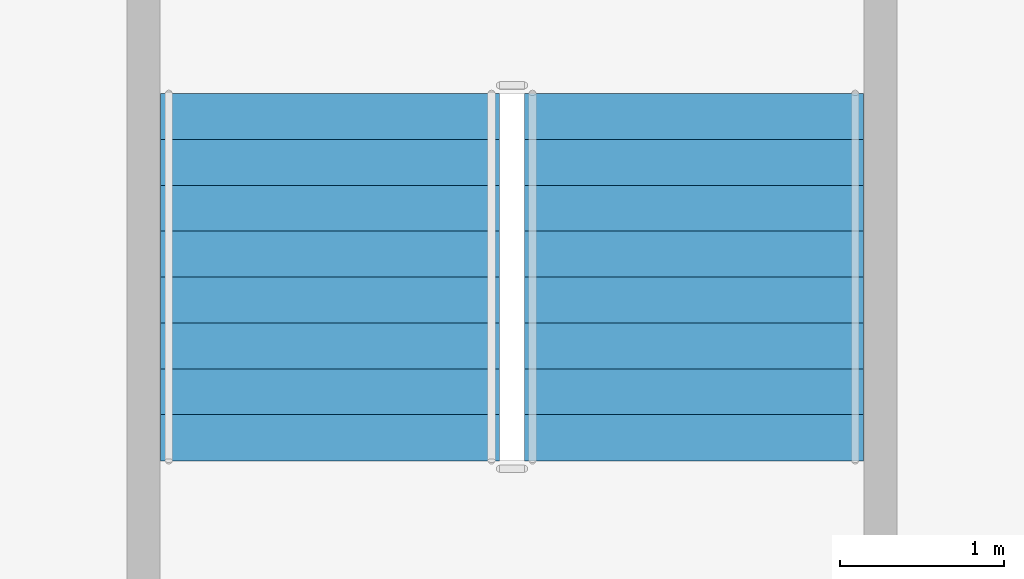
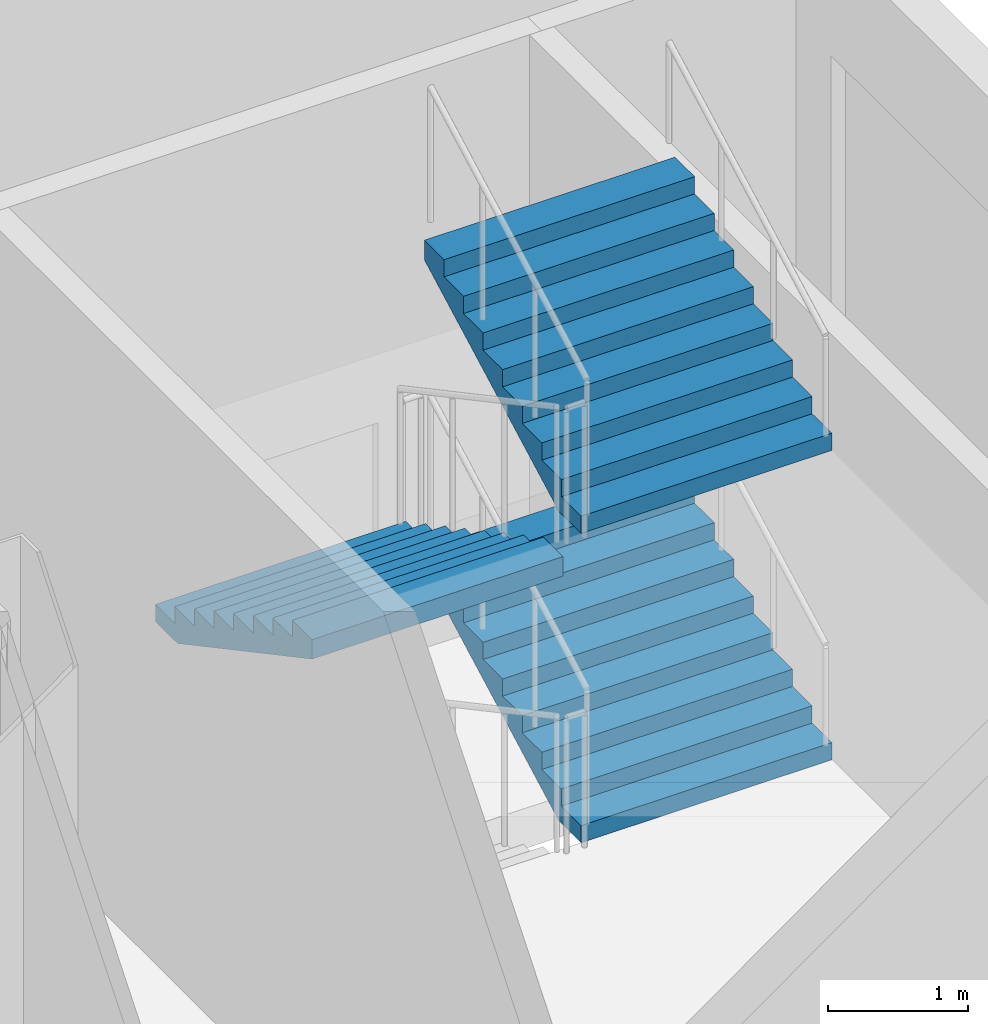
# One storey, part 20 of 27: 3 stair flights, 1 element without a shape of its own.
"""IFC4 building model written with IfcOpenShell, lengths in metres."""

from ifc_helpers import new_model, si_unit, direction, frame, origin, place, context, subcontext, project, spatial, polygons, material, type_object, element, aggregate, save


model = new_model("IFC4")

# Units and contexts
model_context = context("Model", 3, precision=1e-05, world=origin(), true_north=direction((0.0, 1.0)))
body_context = subcontext(model_context, "Body", "Model", "MODEL_VIEW")
ifc_project = project(units=[si_unit("LENGTHUNIT", "METRE"), si_unit("AREAUNIT", "SQUARE_METRE"), si_unit("VOLUMEUNIT", "CUBIC_METRE"), si_unit("PLANEANGLEUNIT", "RADIAN"), si_unit("MASSUNIT", "GRAM", prefix="KILO")], contexts=[model_context])

# Site, building, storey
site_placement = place(None, origin())
site = spatial("IfcSite", under=ifc_project, at=site_placement, CompositionType="ELEMENT")
building_placement = place(site_placement, origin())
building = spatial("IfcBuilding", under=site, at=building_placement, Name="Caravel Reach Hotel and Residences", CompositionType="ELEMENT")
storey_placement = place(building_placement, frame((0.0, 0.0, 6.60009765625)))
storey = spatial("IfcBuildingStorey", under=building, at=storey_placement, Name="L01", CompositionType="ELEMENT", Elevation=6.60009765625)

# Stair, stair flights
ifc_material_1 = material(Name="Concrete C40", Category="concrete")
stair_type = type_object("IfcStairType", Name="Core stair", PredefinedType="HALF_TURN_STAIR", material=ifc_material_1)
stair_placement = place(storey_placement, origin())
stair = element("IfcStair", 1, at=stair_placement, inside=storey, type_object=stair_type, Name="L01 Exit stair P7", PredefinedType="HALF_TURN_STAIR")
ifc_material_2 = material(Name="Concrete C40", Category="concrete")
stair_flight_type = type_object("IfcStairFlightType", Name="Core stair flight", PredefinedType="STRAIGHT", material=ifc_material_2)
stair_flight_1_placement = place(storey_placement, frame((64.360107421875, 9.070068359375, 1.349853515625), z_axis=(0.0, 0.0, 1.0), x_axis=(0.0, 1.0, 0.0)))
stair_flight_1 = element("IfcStairFlight", 2, at=stair_flight_1_placement, type_object=stair_flight_type, Name="ST-P7 flight 2", NumberOfRisers=9, NumberOfTreads=8, PredefinedType="STRAIGHT", RiserHeight=0.15, TreadLength=0.28, context=body_context, shape_type="Tessellation", body=[
    polygons([(0.3174408016601864, 1.0350341796875, 0.0), (0.3174408016601864, 0.6900227864583333, 0.0), (0.3174408016601864, 0.34501139322916663, 0.0), (0.3174408016601864, 0.0, 0.0), (0.3174408016601864, -0.34501139322916674, 0.0), (0.3174408016601864, -0.6900227864583333, 0.0), (0.3174408016601864, -1.0350341796875, 0.0), (2.241, 1.0350341796875, 1.029942427682043), (2.241, 0.6900227864583333, 1.029942427682043), (2.241, 0.34501139322916663, 1.029942427682043), (2.241, 0.0, 1.029942427682043), (2.241, -0.34501139322916674, 1.029942427682043), (2.241, -0.6900227864583333, 1.029942427682043), (2.241, -1.0350341796875, 1.029942427682043), (2.241, 1.0350341796875, 1.2), (2.241, 0.6900227864583333, 1.2), (2.241, 0.34501139322916663, 1.2), (2.241, 0.0, 1.2), (2.241, -0.34501139322916674, 1.2), (2.241, -0.6900227864583333, 1.2), (2.241, -1.0350341796875, 1.2), (1.9600000000000002, 1.0350341796875, 1.2), (1.9600000000000002, 0.6900227864583333, 1.2), (1.9600000000000002, 0.34501139322916663, 1.2), (1.9600000000000002, 0.0, 1.2), (1.9600000000000002, -0.34501139322916674, 1.2), (1.9600000000000002, -0.6900227864583333, 1.2), (1.9600000000000002, -1.0350341796875, 1.2), (1.9600000000000002, 1.0350341796875, 1.05), (1.9600000000000002, 0.6900227864583333, 1.05), (1.9600000000000002, 0.34501139322916663, 1.05), (1.9600000000000002, 0.0, 1.05), (1.9600000000000002, -0.34501139322916674, 1.05), (1.9600000000000002, -0.6900227864583333, 1.05), (1.9600000000000002, -1.0350341796875, 1.05), (1.6800000000000002, 1.0350341796875, 1.05), (1.6800000000000002, 0.6900227864583333, 1.05), (1.6800000000000002, 0.34501139322916663, 1.05), (1.6800000000000002, 0.0, 1.05), (1.6800000000000002, -0.34501139322916674, 1.05), (1.6800000000000002, -0.6900227864583333, 1.05), (1.6800000000000002, -1.0350341796875, 1.05), (1.6800000000000002, 1.0350341796875, 0.8999999999999999), (1.6800000000000002, 0.6900227864583333, 0.8999999999999999), (1.6800000000000002, 0.34501139322916663, 0.8999999999999999), (1.6800000000000002, 0.0, 0.8999999999999999), (1.6800000000000002, -0.34501139322916674, 0.8999999999999999), (1.6800000000000002, -0.6900227864583333, 0.8999999999999999), (1.6800000000000002, -1.0350341796875, 0.8999999999999999), (1.4000000000000001, 1.0350341796875, 0.8999999999999999), (1.4000000000000001, 0.6900227864583333, 0.8999999999999999), (1.4000000000000001, 0.34501139322916663, 0.8999999999999999), (1.4000000000000001, 0.0, 0.8999999999999999), (1.4000000000000001, -0.34501139322916674, 0.8999999999999999), (1.4000000000000001, -0.6900227864583333, 0.8999999999999999), (1.4000000000000001, -1.0350341796875, 0.8999999999999999), (1.4000000000000001, 1.0350341796875, 0.75), (1.4000000000000001, 0.6900227864583333, 0.75), (1.4000000000000001, 0.34501139322916663, 0.75), (1.4000000000000001, 0.0, 0.75), (1.4000000000000001, -0.34501139322916674, 0.75), (1.4000000000000001, -0.6900227864583333, 0.75), (1.4000000000000001, -1.0350341796875, 0.75), (1.12, 1.0350341796875, 0.75), (1.12, 0.6900227864583333, 0.75), (1.12, 0.34501139322916663, 0.75), (1.12, 0.0, 0.75), (1.12, -0.34501139322916674, 0.75), (1.12, -0.6900227864583333, 0.75), (1.12, -1.0350341796875, 0.75), (1.12, 1.0350341796875, 0.6), (1.12, 0.6900227864583333, 0.6), (1.12, 0.34501139322916663, 0.6), (1.12, 0.0, 0.6), (1.12, -0.34501139322916674, 0.6), (1.12, -0.6900227864583333, 0.6), (1.12, -1.0350341796875, 0.6), (0.8400000000000001, 1.0350341796875, 0.6), (0.8400000000000001, 0.6900227864583333, 0.6), (0.8400000000000001, 0.34501139322916663, 0.6), (0.8400000000000001, 0.0, 0.6), (0.8400000000000001, -0.34501139322916674, 0.6), (0.8400000000000001, -0.6900227864583333, 0.6), (0.8400000000000001, -1.0350341796875, 0.6), (0.8400000000000001, 1.0350341796875, 0.44999999999999996), (0.8400000000000001, 0.6900227864583333, 0.44999999999999996), (0.8400000000000001, 0.34501139322916663, 0.44999999999999996), (0.8400000000000001, 0.0, 0.44999999999999996), (0.8400000000000001, -0.34501139322916674, 0.44999999999999996), (0.8400000000000001, -0.6900227864583333, 0.44999999999999996), (0.8400000000000001, -1.0350341796875, 0.44999999999999996), (0.56, 1.0350341796875, 0.44999999999999996), (0.56, 0.6900227864583333, 0.44999999999999996), (0.56, 0.34501139322916663, 0.44999999999999996), (0.56, 0.0, 0.44999999999999996), (0.56, -0.34501139322916674, 0.44999999999999996), (0.56, -0.6900227864583333, 0.44999999999999996), (0.56, -1.0350341796875, 0.44999999999999996), (0.56, 1.0350341796875, 0.3), (0.56, 0.6900227864583333, 0.3), (0.56, 0.34501139322916663, 0.3), (0.56, 0.0, 0.3), (0.56, -0.34501139322916674, 0.3), (0.56, -0.6900227864583333, 0.3), (0.56, -1.0350341796875, 0.3), (0.28, 1.0350341796875, 0.3), (0.28, 0.6900227864583333, 0.3), (0.28, 0.34501139322916663, 0.3), (0.28, 0.0, 0.3), (0.28, -0.34501139322916674, 0.3), (0.28, -0.6900227864583333, 0.3), (0.28, -1.0350341796875, 0.3), (0.28, 1.0350341796875, 0.15), (0.28, 0.6900227864583333, 0.15), (0.28, 0.34501139322916663, 0.15), (0.28, 0.0, 0.15), (0.28, -0.34501139322916674, 0.15), (0.28, -0.6900227864583333, 0.15), (0.28, -1.0350341796875, 0.15), (-0.001, 1.0350341796875, 0.15), (-0.001, 0.6900227864583333, 0.15), (-0.001, 0.34501139322916663, 0.15), (-0.001, 0.0, 0.15), (-0.001, -0.34501139322916674, 0.15), (-0.001, -0.6900227864583333, 0.15), (-0.001, -1.0350341796875, 0.15), (-0.001, 1.0350341796875, 0.0), (-0.001, 0.6900227864583333, 0.0), (-0.001, 0.34501139322916663, 0.0), (-0.001, 0.0, 0.0), (-0.001, -0.34501139322916674, 0.0), (-0.001, -0.6900227864583333, 0.0), (-0.001, -1.0350341796875, 0.0)], [[[127, 120, 113, 106, 99, 92, 85, 78, 71, 64, 57, 50, 43, 36, 29, 22, 15, 8, 1]], [[7, 14, 21, 28, 35, 42, 49, 56, 63, 70, 77, 84, 91, 98, 105, 112, 119, 126, 133]], [[1, 8, 9, 2]], [[2, 9, 10, 3]], [[3, 10, 11, 4]], [[4, 11, 12, 5]], [[5, 12, 13, 6]], [[6, 13, 14, 7]], [[8, 15, 16, 9]], [[9, 16, 17, 10]], [[10, 17, 18, 11]], [[11, 18, 19, 12]], [[12, 19, 20, 13]], [[13, 20, 21, 14]], [[15, 22, 23, 16]], [[16, 23, 24, 17]], [[17, 24, 25, 18]], [[18, 25, 26, 19]], [[19, 26, 27, 20]], [[20, 27, 28, 21]], [[22, 29, 30, 23]], [[23, 30, 31, 24]], [[24, 31, 32, 25]], [[25, 32, 33, 26]], [[26, 33, 34, 27]], [[27, 34, 35, 28]], [[29, 36, 37, 30]], [[30, 37, 38, 31]], [[31, 38, 39, 32]], [[32, 39, 40, 33]], [[33, 40, 41, 34]], [[34, 41, 42, 35]], [[36, 43, 44, 37]], [[37, 44, 45, 38]], [[38, 45, 46, 39]], [[39, 46, 47, 40]], [[40, 47, 48, 41]], [[41, 48, 49, 42]], [[43, 50, 51, 44]], [[44, 51, 52, 45]], [[45, 52, 53, 46]], [[46, 53, 54, 47]], [[47, 54, 55, 48]], [[48, 55, 56, 49]], [[50, 57, 58, 51]], [[51, 58, 59, 52]], [[52, 59, 60, 53]], [[53, 60, 61, 54]], [[54, 61, 62, 55]], [[55, 62, 63, 56]], [[57, 64, 65, 58]], [[58, 65, 66, 59]], [[59, 66, 67, 60]], [[60, 67, 68, 61]], [[61, 68, 69, 62]], [[62, 69, 70, 63]], [[64, 71, 72, 65]], [[65, 72, 73, 66]], [[66, 73, 74, 67]], [[67, 74, 75, 68]], [[68, 75, 76, 69]], [[69, 76, 77, 70]], [[71, 78, 79, 72]], [[72, 79, 80, 73]], [[73, 80, 81, 74]], [[74, 81, 82, 75]], [[75, 82, 83, 76]], [[76, 83, 84, 77]], [[78, 85, 86, 79]], [[79, 86, 87, 80]], [[80, 87, 88, 81]], [[81, 88, 89, 82]], [[82, 89, 90, 83]], [[83, 90, 91, 84]], [[85, 92, 93, 86]], [[86, 93, 94, 87]], [[87, 94, 95, 88]], [[88, 95, 96, 89]], [[89, 96, 97, 90]], [[90, 97, 98, 91]], [[92, 99, 100, 93]], [[93, 100, 101, 94]], [[94, 101, 102, 95]], [[95, 102, 103, 96]], [[96, 103, 104, 97]], [[97, 104, 105, 98]], [[99, 106, 107, 100]], [[100, 107, 108, 101]], [[101, 108, 109, 102]], [[102, 109, 110, 103]], [[103, 110, 111, 104]], [[104, 111, 112, 105]], [[106, 113, 114, 107]], [[107, 114, 115, 108]], [[108, 115, 116, 109]], [[109, 116, 117, 110]], [[110, 117, 118, 111]], [[111, 118, 119, 112]], [[113, 120, 121, 114]], [[114, 121, 122, 115]], [[115, 122, 123, 116]], [[116, 123, 124, 117]], [[117, 124, 125, 118]], [[118, 125, 126, 119]], [[120, 127, 128, 121]], [[121, 128, 129, 122]], [[122, 129, 130, 123]], [[123, 130, 131, 124]], [[124, 131, 132, 125]], [[125, 132, 133, 126]], [[127, 1, 2, 128]], [[128, 2, 3, 129]], [[129, 3, 4, 130]], [[130, 4, 5, 131]], [[131, 5, 6, 132]], [[132, 6, 7, 133]]], closed=True),
])
stair_flight_2_placement = place(storey_placement, frame((62.139892578125, 11.31005859375, 2.699951171875), z_axis=(0.0, 0.0, 1.0), x_axis=(0.0, -1.0, 0.0)))
stair_flight_2 = element("IfcStairFlight", 3, at=stair_flight_2_placement, type_object=stair_flight_type, Name="ST-P7 flight 3", NumberOfRisers=9, NumberOfTreads=8, PredefinedType="STRAIGHT", RiserHeight=0.15, TreadLength=0.28, context=body_context, shape_type="Tessellation", body=[
    polygons([(0.3174408016601864, 1.0350341796875, 0.0), (0.3174408016601864, 0.6900227864583333, 0.0), (0.3174408016601864, 0.34501139322916663, 0.0), (0.3174408016601864, 0.0, 0.0), (0.3174408016601864, -0.34501139322916674, 0.0), (0.3174408016601864, -0.6900227864583333, 0.0), (0.3174408016601864, -1.0350341796875, 0.0), (2.241, 1.0350341796875, 1.029942427682043), (2.241, 0.6900227864583333, 1.029942427682043), (2.241, 0.34501139322916663, 1.029942427682043), (2.241, 0.0, 1.029942427682043), (2.241, -0.34501139322916674, 1.029942427682043), (2.241, -0.6900227864583333, 1.029942427682043), (2.241, -1.0350341796875, 1.029942427682043), (2.241, 1.0350341796875, 1.2), (2.241, 0.6900227864583333, 1.2), (2.241, 0.34501139322916663, 1.2), (2.241, 0.0, 1.2), (2.241, -0.34501139322916674, 1.2), (2.241, -0.6900227864583333, 1.2), (2.241, -1.0350341796875, 1.2), (1.9600000000000002, 1.0350341796875, 1.2), (1.9600000000000002, 0.6900227864583333, 1.2), (1.9600000000000002, 0.34501139322916663, 1.2), (1.9600000000000002, 0.0, 1.2), (1.9600000000000002, -0.34501139322916674, 1.2), (1.9600000000000002, -0.6900227864583333, 1.2), (1.9600000000000002, -1.0350341796875, 1.2), (1.9600000000000002, 1.0350341796875, 1.05), (1.9600000000000002, 0.6900227864583333, 1.05), (1.9600000000000002, 0.34501139322916663, 1.05), (1.9600000000000002, 0.0, 1.05), (1.9600000000000002, -0.34501139322916674, 1.05), (1.9600000000000002, -0.6900227864583333, 1.05), (1.9600000000000002, -1.0350341796875, 1.05), (1.6800000000000002, 1.0350341796875, 1.05), (1.6800000000000002, 0.6900227864583333, 1.05), (1.6800000000000002, 0.34501139322916663, 1.05), (1.6800000000000002, 0.0, 1.05), (1.6800000000000002, -0.34501139322916674, 1.05), (1.6800000000000002, -0.6900227864583333, 1.05), (1.6800000000000002, -1.0350341796875, 1.05), (1.6800000000000002, 1.0350341796875, 0.8999999999999999), (1.6800000000000002, 0.6900227864583333, 0.8999999999999999), (1.6800000000000002, 0.34501139322916663, 0.8999999999999999), (1.6800000000000002, 0.0, 0.8999999999999999), (1.6800000000000002, -0.34501139322916674, 0.8999999999999999), (1.6800000000000002, -0.6900227864583333, 0.8999999999999999), (1.6800000000000002, -1.0350341796875, 0.8999999999999999), (1.4000000000000001, 1.0350341796875, 0.8999999999999999), (1.4000000000000001, 0.6900227864583333, 0.8999999999999999), (1.4000000000000001, 0.34501139322916663, 0.8999999999999999), (1.4000000000000001, 0.0, 0.8999999999999999), (1.4000000000000001, -0.34501139322916674, 0.8999999999999999), (1.4000000000000001, -0.6900227864583333, 0.8999999999999999), (1.4000000000000001, -1.0350341796875, 0.8999999999999999), (1.4000000000000001, 1.0350341796875, 0.75), (1.4000000000000001, 0.6900227864583333, 0.75), (1.4000000000000001, 0.34501139322916663, 0.75), (1.4000000000000001, 0.0, 0.75), (1.4000000000000001, -0.34501139322916674, 0.75), (1.4000000000000001, -0.6900227864583333, 0.75), (1.4000000000000001, -1.0350341796875, 0.75), (1.12, 1.0350341796875, 0.75), (1.12, 0.6900227864583333, 0.75), (1.12, 0.34501139322916663, 0.75), (1.12, 0.0, 0.75), (1.12, -0.34501139322916674, 0.75), (1.12, -0.6900227864583333, 0.75), (1.12, -1.0350341796875, 0.75), (1.12, 1.0350341796875, 0.6), (1.12, 0.6900227864583333, 0.6), (1.12, 0.34501139322916663, 0.6), (1.12, 0.0, 0.6), (1.12, -0.34501139322916674, 0.6), (1.12, -0.6900227864583333, 0.6), (1.12, -1.0350341796875, 0.6), (0.8400000000000001, 1.0350341796875, 0.6), (0.8400000000000001, 0.6900227864583333, 0.6), (0.8400000000000001, 0.34501139322916663, 0.6), (0.8400000000000001, 0.0, 0.6), (0.8400000000000001, -0.34501139322916674, 0.6), (0.8400000000000001, -0.6900227864583333, 0.6), (0.8400000000000001, -1.0350341796875, 0.6), (0.8400000000000001, 1.0350341796875, 0.44999999999999996), (0.8400000000000001, 0.6900227864583333, 0.44999999999999996), (0.8400000000000001, 0.34501139322916663, 0.44999999999999996), (0.8400000000000001, 0.0, 0.44999999999999996), (0.8400000000000001, -0.34501139322916674, 0.44999999999999996), (0.8400000000000001, -0.6900227864583333, 0.44999999999999996), (0.8400000000000001, -1.0350341796875, 0.44999999999999996), (0.56, 1.0350341796875, 0.44999999999999996), (0.56, 0.6900227864583333, 0.44999999999999996), (0.56, 0.34501139322916663, 0.44999999999999996), (0.56, 0.0, 0.44999999999999996), (0.56, -0.34501139322916674, 0.44999999999999996), (0.56, -0.6900227864583333, 0.44999999999999996), (0.56, -1.0350341796875, 0.44999999999999996), (0.56, 1.0350341796875, 0.3), (0.56, 0.6900227864583333, 0.3), (0.56, 0.34501139322916663, 0.3), (0.56, 0.0, 0.3), (0.56, -0.34501139322916674, 0.3), (0.56, -0.6900227864583333, 0.3), (0.56, -1.0350341796875, 0.3), (0.28, 1.0350341796875, 0.3), (0.28, 0.6900227864583333, 0.3), (0.28, 0.34501139322916663, 0.3), (0.28, 0.0, 0.3), (0.28, -0.34501139322916674, 0.3), (0.28, -0.6900227864583333, 0.3), (0.28, -1.0350341796875, 0.3), (0.28, 1.0350341796875, 0.15), (0.28, 0.6900227864583333, 0.15), (0.28, 0.34501139322916663, 0.15), (0.28, 0.0, 0.15), (0.28, -0.34501139322916674, 0.15), (0.28, -0.6900227864583333, 0.15), (0.28, -1.0350341796875, 0.15), (-0.001, 1.0350341796875, 0.15), (-0.001, 0.6900227864583333, 0.15), (-0.001, 0.34501139322916663, 0.15), (-0.001, 0.0, 0.15), (-0.001, -0.34501139322916674, 0.15), (-0.001, -0.6900227864583333, 0.15), (-0.001, -1.0350341796875, 0.15), (-0.001, 1.0350341796875, 0.0), (-0.001, 0.6900227864583333, 0.0), (-0.001, 0.34501139322916663, 0.0), (-0.001, 0.0, 0.0), (-0.001, -0.34501139322916674, 0.0), (-0.001, -0.6900227864583333, 0.0), (-0.001, -1.0350341796875, 0.0)], [[[127, 120, 113, 106, 99, 92, 85, 78, 71, 64, 57, 50, 43, 36, 29, 22, 15, 8, 1]], [[7, 14, 21, 28, 35, 42, 49, 56, 63, 70, 77, 84, 91, 98, 105, 112, 119, 126, 133]], [[1, 8, 9, 2]], [[2, 9, 10, 3]], [[3, 10, 11, 4]], [[4, 11, 12, 5]], [[5, 12, 13, 6]], [[6, 13, 14, 7]], [[8, 15, 16, 9]], [[9, 16, 17, 10]], [[10, 17, 18, 11]], [[11, 18, 19, 12]], [[12, 19, 20, 13]], [[13, 20, 21, 14]], [[15, 22, 23, 16]], [[16, 23, 24, 17]], [[17, 24, 25, 18]], [[18, 25, 26, 19]], [[19, 26, 27, 20]], [[20, 27, 28, 21]], [[22, 29, 30, 23]], [[23, 30, 31, 24]], [[24, 31, 32, 25]], [[25, 32, 33, 26]], [[26, 33, 34, 27]], [[27, 34, 35, 28]], [[29, 36, 37, 30]], [[30, 37, 38, 31]], [[31, 38, 39, 32]], [[32, 39, 40, 33]], [[33, 40, 41, 34]], [[34, 41, 42, 35]], [[36, 43, 44, 37]], [[37, 44, 45, 38]], [[38, 45, 46, 39]], [[39, 46, 47, 40]], [[40, 47, 48, 41]], [[41, 48, 49, 42]], [[43, 50, 51, 44]], [[44, 51, 52, 45]], [[45, 52, 53, 46]], [[46, 53, 54, 47]], [[47, 54, 55, 48]], [[48, 55, 56, 49]], [[50, 57, 58, 51]], [[51, 58, 59, 52]], [[52, 59, 60, 53]], [[53, 60, 61, 54]], [[54, 61, 62, 55]], [[55, 62, 63, 56]], [[57, 64, 65, 58]], [[58, 65, 66, 59]], [[59, 66, 67, 60]], [[60, 67, 68, 61]], [[61, 68, 69, 62]], [[62, 69, 70, 63]], [[64, 71, 72, 65]], [[65, 72, 73, 66]], [[66, 73, 74, 67]], [[67, 74, 75, 68]], [[68, 75, 76, 69]], [[69, 76, 77, 70]], [[71, 78, 79, 72]], [[72, 79, 80, 73]], [[73, 80, 81, 74]], [[74, 81, 82, 75]], [[75, 82, 83, 76]], [[76, 83, 84, 77]], [[78, 85, 86, 79]], [[79, 86, 87, 80]], [[80, 87, 88, 81]], [[81, 88, 89, 82]], [[82, 89, 90, 83]], [[83, 90, 91, 84]], [[85, 92, 93, 86]], [[86, 93, 94, 87]], [[87, 94, 95, 88]], [[88, 95, 96, 89]], [[89, 96, 97, 90]], [[90, 97, 98, 91]], [[92, 99, 100, 93]], [[93, 100, 101, 94]], [[94, 101, 102, 95]], [[95, 102, 103, 96]], [[96, 103, 104, 97]], [[97, 104, 105, 98]], [[99, 106, 107, 100]], [[100, 107, 108, 101]], [[101, 108, 109, 102]], [[102, 109, 110, 103]], [[103, 110, 111, 104]], [[104, 111, 112, 105]], [[106, 113, 114, 107]], [[107, 114, 115, 108]], [[108, 115, 116, 109]], [[109, 116, 117, 110]], [[110, 117, 118, 111]], [[111, 118, 119, 112]], [[113, 120, 121, 114]], [[114, 121, 122, 115]], [[115, 122, 123, 116]], [[116, 123, 124, 117]], [[117, 124, 125, 118]], [[118, 125, 126, 119]], [[120, 127, 128, 121]], [[121, 128, 129, 122]], [[122, 129, 130, 123]], [[123, 130, 131, 124]], [[124, 131, 132, 125]], [[125, 132, 133, 126]], [[127, 1, 2, 128]], [[128, 2, 3, 129]], [[129, 3, 4, 130]], [[130, 4, 5, 131]], [[131, 5, 6, 132]], [[132, 6, 7, 133]]], closed=True),
])
stair_flight_3_placement = place(storey_placement, frame((64.360107421875, 9.070068359375, 4.0498046875), z_axis=(0.0, 0.0, 1.0), x_axis=(0.0, 1.0, 0.0)))
stair_flight_3 = element("IfcStairFlight", 4, at=stair_flight_3_placement, type_object=stair_flight_type, Name="ST-P7 flight 4", NumberOfRisers=9, NumberOfTreads=8, PredefinedType="STRAIGHT", RiserHeight=0.15, TreadLength=0.28, context=body_context, shape_type="Tessellation", body=[
    polygons([(0.3174408016601864, 1.0350341796875, 0.0), (0.3174408016601864, 0.6900227864583333, 0.0), (0.3174408016601864, 0.34501139322916663, 0.0), (0.3174408016601864, 0.0, 0.0), (0.3174408016601864, -0.34501139322916674, 0.0), (0.3174408016601864, -0.6900227864583333, 0.0), (0.3174408016601864, -1.0350341796875, 0.0), (2.241, 1.0350341796875, 1.029942427682043), (2.241, 0.6900227864583333, 1.029942427682043), (2.241, 0.34501139322916663, 1.029942427682043), (2.241, 0.0, 1.029942427682043), (2.241, -0.34501139322916674, 1.029942427682043), (2.241, -0.6900227864583333, 1.029942427682043), (2.241, -1.0350341796875, 1.029942427682043), (2.241, 1.0350341796875, 1.2), (2.241, 0.6900227864583333, 1.2), (2.241, 0.34501139322916663, 1.2), (2.241, 0.0, 1.2), (2.241, -0.34501139322916674, 1.2), (2.241, -0.6900227864583333, 1.2), (2.241, -1.0350341796875, 1.2), (1.9600000000000002, 1.0350341796875, 1.2), (1.9600000000000002, 0.6900227864583333, 1.2), (1.9600000000000002, 0.34501139322916663, 1.2), (1.9600000000000002, 0.0, 1.2), (1.9600000000000002, -0.34501139322916674, 1.2), (1.9600000000000002, -0.6900227864583333, 1.2), (1.9600000000000002, -1.0350341796875, 1.2), (1.9600000000000002, 1.0350341796875, 1.05), (1.9600000000000002, 0.6900227864583333, 1.05), (1.9600000000000002, 0.34501139322916663, 1.05), (1.9600000000000002, 0.0, 1.05), (1.9600000000000002, -0.34501139322916674, 1.05), (1.9600000000000002, -0.6900227864583333, 1.05), (1.9600000000000002, -1.0350341796875, 1.05), (1.6800000000000002, 1.0350341796875, 1.05), (1.6800000000000002, 0.6900227864583333, 1.05), (1.6800000000000002, 0.34501139322916663, 1.05), (1.6800000000000002, 0.0, 1.05), (1.6800000000000002, -0.34501139322916674, 1.05), (1.6800000000000002, -0.6900227864583333, 1.05), (1.6800000000000002, -1.0350341796875, 1.05), (1.6800000000000002, 1.0350341796875, 0.8999999999999999), (1.6800000000000002, 0.6900227864583333, 0.8999999999999999), (1.6800000000000002, 0.34501139322916663, 0.8999999999999999), (1.6800000000000002, 0.0, 0.8999999999999999), (1.6800000000000002, -0.34501139322916674, 0.8999999999999999), (1.6800000000000002, -0.6900227864583333, 0.8999999999999999), (1.6800000000000002, -1.0350341796875, 0.8999999999999999), (1.4000000000000001, 1.0350341796875, 0.8999999999999999), (1.4000000000000001, 0.6900227864583333, 0.8999999999999999), (1.4000000000000001, 0.34501139322916663, 0.8999999999999999), (1.4000000000000001, 0.0, 0.8999999999999999), (1.4000000000000001, -0.34501139322916674, 0.8999999999999999), (1.4000000000000001, -0.6900227864583333, 0.8999999999999999), (1.4000000000000001, -1.0350341796875, 0.8999999999999999), (1.4000000000000001, 1.0350341796875, 0.75), (1.4000000000000001, 0.6900227864583333, 0.75), (1.4000000000000001, 0.34501139322916663, 0.75), (1.4000000000000001, 0.0, 0.75), (1.4000000000000001, -0.34501139322916674, 0.75), (1.4000000000000001, -0.6900227864583333, 0.75), (1.4000000000000001, -1.0350341796875, 0.75), (1.12, 1.0350341796875, 0.75), (1.12, 0.6900227864583333, 0.75), (1.12, 0.34501139322916663, 0.75), (1.12, 0.0, 0.75), (1.12, -0.34501139322916674, 0.75), (1.12, -0.6900227864583333, 0.75), (1.12, -1.0350341796875, 0.75), (1.12, 1.0350341796875, 0.6), (1.12, 0.6900227864583333, 0.6), (1.12, 0.34501139322916663, 0.6), (1.12, 0.0, 0.6), (1.12, -0.34501139322916674, 0.6), (1.12, -0.6900227864583333, 0.6), (1.12, -1.0350341796875, 0.6), (0.8400000000000001, 1.0350341796875, 0.6), (0.8400000000000001, 0.6900227864583333, 0.6), (0.8400000000000001, 0.34501139322916663, 0.6), (0.8400000000000001, 0.0, 0.6), (0.8400000000000001, -0.34501139322916674, 0.6), (0.8400000000000001, -0.6900227864583333, 0.6), (0.8400000000000001, -1.0350341796875, 0.6), (0.8400000000000001, 1.0350341796875, 0.44999999999999996), (0.8400000000000001, 0.6900227864583333, 0.44999999999999996), (0.8400000000000001, 0.34501139322916663, 0.44999999999999996), (0.8400000000000001, 0.0, 0.44999999999999996), (0.8400000000000001, -0.34501139322916674, 0.44999999999999996), (0.8400000000000001, -0.6900227864583333, 0.44999999999999996), (0.8400000000000001, -1.0350341796875, 0.44999999999999996), (0.56, 1.0350341796875, 0.44999999999999996), (0.56, 0.6900227864583333, 0.44999999999999996), (0.56, 0.34501139322916663, 0.44999999999999996), (0.56, 0.0, 0.44999999999999996), (0.56, -0.34501139322916674, 0.44999999999999996), (0.56, -0.6900227864583333, 0.44999999999999996), (0.56, -1.0350341796875, 0.44999999999999996), (0.56, 1.0350341796875, 0.3), (0.56, 0.6900227864583333, 0.3), (0.56, 0.34501139322916663, 0.3), (0.56, 0.0, 0.3), (0.56, -0.34501139322916674, 0.3), (0.56, -0.6900227864583333, 0.3), (0.56, -1.0350341796875, 0.3), (0.28, 1.0350341796875, 0.3), (0.28, 0.6900227864583333, 0.3), (0.28, 0.34501139322916663, 0.3), (0.28, 0.0, 0.3), (0.28, -0.34501139322916674, 0.3), (0.28, -0.6900227864583333, 0.3), (0.28, -1.0350341796875, 0.3), (0.28, 1.0350341796875, 0.15), (0.28, 0.6900227864583333, 0.15), (0.28, 0.34501139322916663, 0.15), (0.28, 0.0, 0.15), (0.28, -0.34501139322916674, 0.15), (0.28, -0.6900227864583333, 0.15), (0.28, -1.0350341796875, 0.15), (-0.001, 1.0350341796875, 0.15), (-0.001, 0.6900227864583333, 0.15), (-0.001, 0.34501139322916663, 0.15), (-0.001, 0.0, 0.15), (-0.001, -0.34501139322916674, 0.15), (-0.001, -0.6900227864583333, 0.15), (-0.001, -1.0350341796875, 0.15), (-0.001, 1.0350341796875, 0.0), (-0.001, 0.6900227864583333, 0.0), (-0.001, 0.34501139322916663, 0.0), (-0.001, 0.0, 0.0), (-0.001, -0.34501139322916674, 0.0), (-0.001, -0.6900227864583333, 0.0), (-0.001, -1.0350341796875, 0.0)], [[[127, 120, 113, 106, 99, 92, 85, 78, 71, 64, 57, 50, 43, 36, 29, 22, 15, 8, 1]], [[7, 14, 21, 28, 35, 42, 49, 56, 63, 70, 77, 84, 91, 98, 105, 112, 119, 126, 133]], [[1, 8, 9, 2]], [[2, 9, 10, 3]], [[3, 10, 11, 4]], [[4, 11, 12, 5]], [[5, 12, 13, 6]], [[6, 13, 14, 7]], [[8, 15, 16, 9]], [[9, 16, 17, 10]], [[10, 17, 18, 11]], [[11, 18, 19, 12]], [[12, 19, 20, 13]], [[13, 20, 21, 14]], [[15, 22, 23, 16]], [[16, 23, 24, 17]], [[17, 24, 25, 18]], [[18, 25, 26, 19]], [[19, 26, 27, 20]], [[20, 27, 28, 21]], [[22, 29, 30, 23]], [[23, 30, 31, 24]], [[24, 31, 32, 25]], [[25, 32, 33, 26]], [[26, 33, 34, 27]], [[27, 34, 35, 28]], [[29, 36, 37, 30]], [[30, 37, 38, 31]], [[31, 38, 39, 32]], [[32, 39, 40, 33]], [[33, 40, 41, 34]], [[34, 41, 42, 35]], [[36, 43, 44, 37]], [[37, 44, 45, 38]], [[38, 45, 46, 39]], [[39, 46, 47, 40]], [[40, 47, 48, 41]], [[41, 48, 49, 42]], [[43, 50, 51, 44]], [[44, 51, 52, 45]], [[45, 52, 53, 46]], [[46, 53, 54, 47]], [[47, 54, 55, 48]], [[48, 55, 56, 49]], [[50, 57, 58, 51]], [[51, 58, 59, 52]], [[52, 59, 60, 53]], [[53, 60, 61, 54]], [[54, 61, 62, 55]], [[55, 62, 63, 56]], [[57, 64, 65, 58]], [[58, 65, 66, 59]], [[59, 66, 67, 60]], [[60, 67, 68, 61]], [[61, 68, 69, 62]], [[62, 69, 70, 63]], [[64, 71, 72, 65]], [[65, 72, 73, 66]], [[66, 73, 74, 67]], [[67, 74, 75, 68]], [[68, 75, 76, 69]], [[69, 76, 77, 70]], [[71, 78, 79, 72]], [[72, 79, 80, 73]], [[73, 80, 81, 74]], [[74, 81, 82, 75]], [[75, 82, 83, 76]], [[76, 83, 84, 77]], [[78, 85, 86, 79]], [[79, 86, 87, 80]], [[80, 87, 88, 81]], [[81, 88, 89, 82]], [[82, 89, 90, 83]], [[83, 90, 91, 84]], [[85, 92, 93, 86]], [[86, 93, 94, 87]], [[87, 94, 95, 88]], [[88, 95, 96, 89]], [[89, 96, 97, 90]], [[90, 97, 98, 91]], [[92, 99, 100, 93]], [[93, 100, 101, 94]], [[94, 101, 102, 95]], [[95, 102, 103, 96]], [[96, 103, 104, 97]], [[97, 104, 105, 98]], [[99, 106, 107, 100]], [[100, 107, 108, 101]], [[101, 108, 109, 102]], [[102, 109, 110, 103]], [[103, 110, 111, 104]], [[104, 111, 112, 105]], [[106, 113, 114, 107]], [[107, 114, 115, 108]], [[108, 115, 116, 109]], [[109, 116, 117, 110]], [[110, 117, 118, 111]], [[111, 118, 119, 112]], [[113, 120, 121, 114]], [[114, 121, 122, 115]], [[115, 122, 123, 116]], [[116, 123, 124, 117]], [[117, 124, 125, 118]], [[118, 125, 126, 119]], [[120, 127, 128, 121]], [[121, 128, 129, 122]], [[122, 129, 130, 123]], [[123, 130, 131, 124]], [[124, 131, 132, 125]], [[125, 132, 133, 126]], [[127, 1, 2, 128]], [[128, 2, 3, 129]], [[129, 3, 4, 130]], [[130, 4, 5, 131]], [[131, 5, 6, 132]], [[132, 6, 7, 133]]], closed=True),
])
aggregate(stair, [stair_flight_1, stair_flight_2, stair_flight_3])

save(model, "model.ifc")
